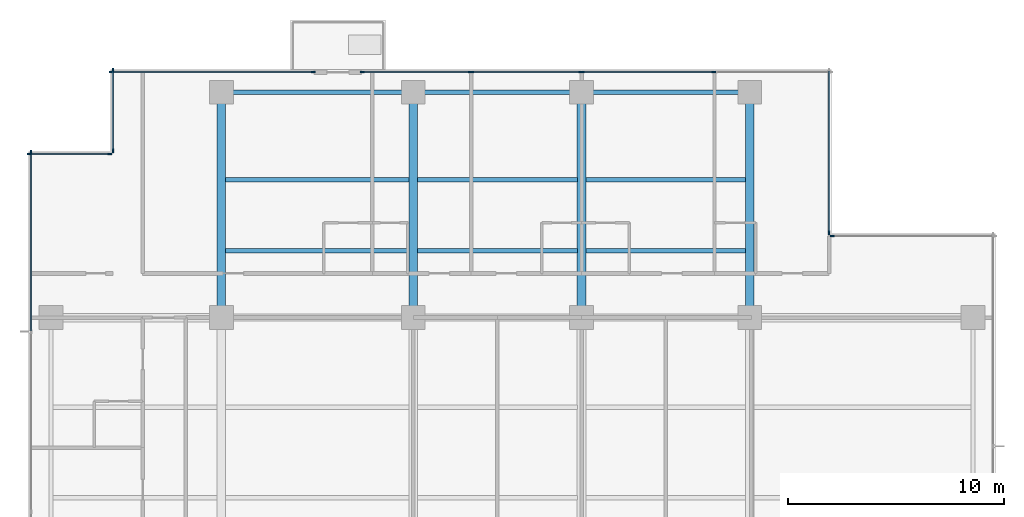
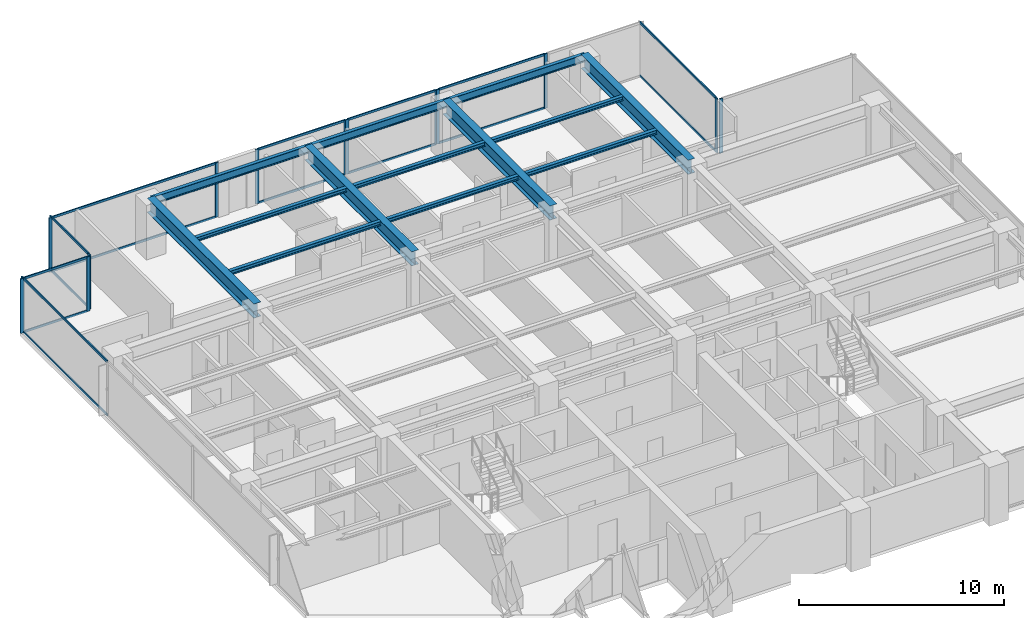
# One storey, part 4 of 14: 31 members, 13 beams, 9 elements without a shape of their own.
"""IFC4 building model written with IfcOpenShell, lengths in metres."""

from ifc_helpers import new_model, si_unit, direction, frame, origin, origin_2d, place, context, subcontext, project, spatial, rectangle, i_section, extrude, material, layer, layer_set, material_profile, profile_set, type_object, element, aggregate, save


model = new_model("IFC4")

# Units and contexts
model_context = context("Model", 3, precision=1e-05, world=origin(), true_north=direction((0.0, 1.0)))
body_context = subcontext(model_context, "Body", "Model", "MODEL_VIEW")
ifc_project = project(units=[si_unit("LENGTHUNIT", "METRE"), si_unit("AREAUNIT", "SQUARE_METRE"), si_unit("VOLUMEUNIT", "CUBIC_METRE"), si_unit("PLANEANGLEUNIT", "RADIAN"), si_unit("MASSUNIT", "GRAM", prefix="KILO")], contexts=[model_context])

# Site, building, storey
site_placement = place(None, origin())
site = spatial("IfcSite", under=ifc_project, at=site_placement, CompositionType="ELEMENT")
building_placement = place(site_placement, origin())
building = spatial("IfcBuilding", under=site, at=building_placement, Name="Qalmaran Belvedere Hotel", CompositionType="ELEMENT")
storey_placement = place(building_placement, frame((0.0, 0.0, 152.60009765625)))
storey = spatial("IfcBuildingStorey", under=building, at=storey_placement, Name="L38", CompositionType="ELEMENT", Elevation=152.60009765625)

# Beams
ifc_material_1 = material(Name="Steel S355JR", Category="steel")
ifc_material_profile_1 = material_profile(ifc_material_1, i_section(OverallWidth=0.201904296875, OverallDepth=0.2470703125, WebThickness=0.00732421875, FlangeThickness=0.010986328125, FilletRadius=0.011962890625, at=origin_2d()), Name="W250X49")
ifc_profile_set_1 = profile_set([ifc_material_profile_1], Name="Steel S355JR")
beam_type_1 = type_object("IfcBeamType", Name="BM-JST-W250X49", PredefinedType="JOIST", material=ifc_profile_set_1)
beam_1_placement = place(storey_placement, frame((20.498046875, 36.10009765625, 3.12646484375), z_axis=(1.0, 0.0, 0.0), x_axis=(0.0, 1.0, 0.0)))
element("IfcBeam", 1, at=beam_1_placement, inside=storey, type_object=beam_type_1, Name="L38 North Floor Joist 042", PredefinedType="JOIST", context=body_context, shape_type="SweptSolid", body=[
    extrude(i_section(OverallWidth=0.201904296875, OverallDepth=0.2470703125, WebThickness=0.00732421875, FlangeThickness=0.010986328125, FilletRadius=0.011962890625, at=origin_2d()), origin(), (0.0, 0.0, 1.0), 8.50390625),
])
for number, where, z_axis, x_axis, name in (
    (2, (29.39794921875, 36.10009765625, 3.12646484375), (1.0, 0.0, 0.0), (0.0, 1.0, 0.0), "L38 North Floor Joist 043"),
    (3, (37.197998046875, 36.10009765625, 3.12646484375), (1.0, 0.0, 0.0), (0.0, 1.0, 0.0), "L38 North Floor Joist 044"),
):
    element("IfcBeam", number, at=place(storey_placement, frame(where, z_axis=z_axis, x_axis=x_axis)), inside=storey, type_object=beam_type_1, Name=name, PredefinedType="JOIST", context=body_context, shape_type="SweptSolid", body=[
        extrude(i_section(OverallWidth=0.201904296875, OverallDepth=0.2470703125, WebThickness=0.00732421875, FlangeThickness=0.010986328125, FilletRadius=0.011962890625, at=origin_2d()), origin(), (0.0, 0.0, 1.0), 7.404052734375),
    ])
beam_2_placement = place(storey_placement, frame((20.498046875, 39.39990234375, 3.12646484375), z_axis=(1.0, 0.0, 0.0), x_axis=(0.0, 1.0, 0.0)))
element("IfcBeam", 4, at=beam_2_placement, inside=storey, type_object=beam_type_1, Name="L38 North Floor Joist 045", PredefinedType="JOIST", context=body_context, shape_type="SweptSolid", body=[
    extrude(i_section(OverallWidth=0.201904296875, OverallDepth=0.2470703125, WebThickness=0.00732421875, FlangeThickness=0.010986328125, FilletRadius=0.011962890625, at=origin_2d()), origin(), (0.0, 0.0, 1.0), 8.50390625),
])
for number, where, z_axis, x_axis, name in (
    (5, (29.39794921875, 39.39990234375, 3.12646484375), (1.0, 0.0, 0.0), (0.0, 1.0, 0.0), "L38 North Floor Joist 046"),
    (6, (37.197998046875, 39.39990234375, 3.12646484375), (1.0, 0.0, 0.0), (0.0, 1.0, 0.0), "L38 North Floor Joist 047"),
):
    element("IfcBeam", number, at=place(storey_placement, frame(where, z_axis=z_axis, x_axis=x_axis)), inside=storey, type_object=beam_type_1, Name=name, PredefinedType="JOIST", context=body_context, shape_type="SweptSolid", body=[
        extrude(i_section(OverallWidth=0.201904296875, OverallDepth=0.2470703125, WebThickness=0.00732421875, FlangeThickness=0.010986328125, FilletRadius=0.011962890625, at=origin_2d()), origin(), (0.0, 0.0, 1.0), 7.404052734375),
    ])
ifc_material_profile_2 = material_profile(ifc_material_1, i_section(OverallWidth=0.39990234375, OverallDepth=0.85498046875, WebThickness=0.018310546875, FlangeThickness=0.029296875, FilletRadius=0.02392578125, at=origin_2d()), Name="W840X299")
ifc_profile_set_2 = profile_set([ifc_material_profile_2], Name="Steel S355JR")
beam_type_2 = type_object("IfcBeamType", Name="BM-PG3-W840X299", PredefinedType="USERDEFINED", material=ifc_profile_set_2)
for number, where, z_axis, x_axis, name in (
    (7, (20.300048828125, 33.0, 2.822509765625), (0.0, 1.0, 0.0), (-1.0, 0.0, 0.0), "L38 North Bay Girder 15"),
    (8, (29.199951171875, 33.0, 2.822509765625), (0.0, 1.0, 0.0), (-1.0, 0.0, 0.0), "L38 North Bay Girder 17"),
    (9, (37.0, 33.0, 2.822509765625), (0.0, 1.0, 0.0), (-1.0, 0.0, 0.0), "L38 North Bay Girder 19"),
    (10, (44.800048828125, 33.0, 2.822509765625), (0.0, 1.0, 0.0), (-1.0, 0.0, 0.0), "L38 North Bay Girder 21"),
):
    element("IfcBeam", number, at=place(storey_placement, frame(where, z_axis=z_axis, x_axis=x_axis)), inside=storey, type_object=beam_type_2, Name=name, ObjectType="GIRDER", PredefinedType="USERDEFINED", context=body_context, shape_type="SweptSolid", body=[
        extrude(i_section(OverallWidth=0.39990234375, OverallDepth=0.85498046875, WebThickness=0.018310546875, FlangeThickness=0.029296875, FilletRadius=0.02392578125, at=origin_2d()), origin(), (0.0, 0.0, 1.0), 10.449951171875),
    ])
ifc_material_profile_3 = material_profile(ifc_material_1, i_section(OverallWidth=0.19189453125, OverallDepth=0.462890625, WebThickness=0.010498046875, FlangeThickness=0.017578125, FilletRadius=0.01611328125, at=origin_2d()), Name="W460X89")
ifc_profile_set_3 = profile_set([ifc_material_profile_3], Name="Steel S355JR")
beam_type_3 = type_object("IfcBeamType", Name="BM-SP2-W460X89", PredefinedType="SPANDREL", material=ifc_profile_set_3)
beam_3_placement = place(storey_placement, frame((20.300048828125, 43.449951171875, 3.018310546875), z_axis=(1.0, 0.0, 0.0), x_axis=(0.0, 1.0, 0.0)))
element("IfcBeam", 11, at=beam_3_placement, inside=storey, type_object=beam_type_3, Name="L38 Perimeter Spandrel 05", PredefinedType="SPANDREL", context=body_context, shape_type="SweptSolid", body=[
    extrude(i_section(OverallWidth=0.19189453125, OverallDepth=0.462890625, WebThickness=0.010498046875, FlangeThickness=0.017578125, FilletRadius=0.01611328125, at=origin_2d()), origin(), (0.0, 0.0, 1.0), 8.89990234375),
])
for number, where, z_axis, x_axis, name in (
    (12, (29.199951171875, 43.449951171875, 3.018310546875), (1.0, 0.0, 0.0), (0.0, 1.0, 0.0), "L38 Perimeter Spandrel 06"),
    (13, (37.0, 43.449951171875, 3.018310546875), (1.0, 0.0, 0.0), (0.0, 1.0, 0.0), "L38 Perimeter Spandrel 07"),
):
    element("IfcBeam", number, at=place(storey_placement, frame(where, z_axis=z_axis, x_axis=x_axis)), inside=storey, type_object=beam_type_3, Name=name, PredefinedType="SPANDREL", context=body_context, shape_type="SweptSolid", body=[
        extrude(i_section(OverallWidth=0.19189453125, OverallDepth=0.462890625, WebThickness=0.010498046875, FlangeThickness=0.017578125, FilletRadius=0.01611328125, at=origin_2d()), origin(), (0.0, 0.0, 1.0), 7.800048828125),
    ])

# Curtain wall, member
ifc_material_2 = material(Name="Anodised Bronze Aluminium", Category="aluminium")
ifc_layer = layer(ifc_material_2, 0.195068359375, Name="Anodised Bronze Aluminium")
ifc_layer_set = layer_set([ifc_layer], Name="Anodised Bronze Aluminium")
curtain_wall_type = type_object("IfcCurtainWallType", Name="CW4-TOWER-HIGHMID", PredefinedType="NOTDEFINED", material=ifc_layer_set)
curtain_wall_1_placement = place(storey_placement, origin())
curtain_wall_1 = element("IfcCurtainWall", 14, at=curtain_wall_1_placement, inside=storey, type_object=curtain_wall_type, Name="L38 Curtain Wall CW4", PredefinedType="NOTDEFINED")
ifc_material_profile_4 = material_profile(ifc_material_2, rectangle(XDim=0.070068359375, YDim=0.18994140625, at=origin_2d()), Name="CWM70X190")
ifc_profile_set_4 = profile_set([ifc_material_profile_4], Name="Anodised Bronze Aluminium")
member_type_1 = type_object("IfcMemberType", Name="CWM-70X190", PredefinedType="MULLION", material=ifc_profile_set_4)
member_1_placement = place(storey_placement, frame((48.635009765625, 36.780029296875, 0.0), z_axis=(0.0, 0.0, 1.0), x_axis=(0.0, -1.0, 0.0)))
member_1 = element("IfcMember", 15, at=member_1_placement, type_object=member_type_1, Name="CW4 mullion 2", PredefinedType="MULLION", context=body_context, shape_type="SweptSolid", body=[
    extrude(rectangle(XDim=0.070068359375, YDim=0.18994140625, at=origin_2d()), origin(), (0.0, 0.0, 1.0), 3.25),
])
aggregate(curtain_wall_1, [member_1])

curtain_wall_2_placement = place(storey_placement, origin())
curtain_wall_2 = element("IfcCurtainWall", 16, at=curtain_wall_2_placement, inside=storey, type_object=curtain_wall_type, Name="L38 Curtain Wall CW4", PredefinedType="NOTDEFINED")
member_2_placement = place(storey_placement, frame((48.47998046875, 36.93505859375, 0.0), z_axis=(0.0, 0.0, 1.0), x_axis=(-1.0, 0.0, 0.0)))
member_2 = element("IfcMember", 17, at=member_2_placement, type_object=member_type_1, Name="CW4 mullion 1", PredefinedType="MULLION", context=body_context, shape_type="SweptSolid", body=[
    extrude(rectangle(XDim=0.070068359375, YDim=0.18994140625, at=origin_2d()), origin(), (0.0, 0.0, 1.0), 3.25),
])

# Curtain wall, members
curtain_wall_3_placement = place(storey_placement, origin())
curtain_wall_3 = element("IfcCurtainWall", 18, at=curtain_wall_3_placement, inside=storey, type_object=curtain_wall_type, Name="L38 Curtain Wall CW4", PredefinedType="NOTDEFINED")
member_3_placement = place(storey_placement, frame((24.56494140625, 44.3798828125, 0.0), z_axis=(0.0, 0.0, 1.0), x_axis=(0.0, -1.0, 0.0)))
member_3 = element("IfcMember", 19, at=member_3_placement, type_object=member_type_1, Name="CW4 mullion 1", PredefinedType="MULLION", context=body_context, shape_type="SweptSolid", body=[
    extrude(rectangle(XDim=0.070068359375, YDim=0.18994140625, at=origin_2d()), origin(), (0.0, 0.0, 1.0), 3.25),
])
member_4_placement = place(storey_placement, frame((15.18505859375, 44.3798828125, 0.0), z_axis=(0.0, 0.0, 1.0), x_axis=(0.0, -1.0, 0.0)))
member_4 = element("IfcMember", 20, at=member_4_placement, type_object=member_type_1, Name="CW4 mullion 2", PredefinedType="MULLION", context=body_context, shape_type="SweptSolid", body=[
    extrude(rectangle(XDim=0.070068359375, YDim=0.18994140625, at=origin_2d()), origin(), (0.0, 0.0, 1.0), 3.25),
])

curtain_wall_4_placement = place(storey_placement, origin())
curtain_wall_4 = element("IfcCurtainWall", 21, at=curtain_wall_4_placement, inside=storey, type_object=curtain_wall_type, Name="L38 Curtain Wall CW4", PredefinedType="NOTDEFINED")
member_5_placement = place(storey_placement, frame((43.13134765625, 44.3798828125, 0.0), z_axis=(0.0, 0.0, 1.0), x_axis=(0.0, -1.0, 0.0)))
member_5 = element("IfcMember", 22, at=member_5_placement, type_object=member_type_1, Name="CW4 mullion 1", PredefinedType="MULLION", context=body_context, shape_type="SweptSolid", body=[
    extrude(rectangle(XDim=0.070068359375, YDim=0.18994140625, at=origin_2d()), origin(), (0.0, 0.0, 1.0), 3.25),
])
member_6_placement = place(storey_placement, frame((37.034912109375, 44.3798828125, 0.0), z_axis=(0.0, 0.0, 1.0), x_axis=(0.0, -1.0, 0.0)))
member_6 = element("IfcMember", 23, at=member_6_placement, type_object=member_type_1, Name="CW4 mullion 2", PredefinedType="MULLION", context=body_context, shape_type="SweptSolid", body=[
    extrude(rectangle(XDim=0.070068359375, YDim=0.18994140625, at=origin_2d()), origin(), (0.0, 0.0, 1.0), 3.25),
])

curtain_wall_5_placement = place(storey_placement, origin())
curtain_wall_5 = element("IfcCurtainWall", 24, at=curtain_wall_5_placement, inside=storey, type_object=curtain_wall_type, Name="L38 Curtain Wall CW4", PredefinedType="NOTDEFINED")
member_7_placement = place(storey_placement, frame((36.965087890625, 44.3798828125, 0.0), z_axis=(0.0, 0.0, 1.0), x_axis=(0.0, -1.0, 0.0)))
member_7 = element("IfcMember", 25, at=member_7_placement, type_object=member_type_1, Name="CW4 mullion 1", PredefinedType="MULLION", context=body_context, shape_type="SweptSolid", body=[
    extrude(rectangle(XDim=0.070068359375, YDim=0.18994140625, at=origin_2d()), origin(), (0.0, 0.0, 1.0), 3.25),
])
member_8_placement = place(storey_placement, frame((31.909912109375, 44.3798828125, 0.0), z_axis=(0.0, 0.0, 1.0), x_axis=(0.0, -1.0, 0.0)))
member_8 = element("IfcMember", 26, at=member_8_placement, type_object=member_type_1, Name="CW4 mullion 2", PredefinedType="MULLION", context=body_context, shape_type="SweptSolid", body=[
    extrude(rectangle(XDim=0.070068359375, YDim=0.18994140625, at=origin_2d()), origin(), (0.0, 0.0, 1.0), 3.25),
])

curtain_wall_6_placement = place(storey_placement, origin())
curtain_wall_6 = element("IfcCurtainWall", 27, at=curtain_wall_6_placement, inside=storey, type_object=curtain_wall_type, Name="L38 Curtain Wall CW4", PredefinedType="NOTDEFINED")
member_9_placement = place(storey_placement, frame((31.840087890625, 44.3798828125, 0.0), z_axis=(0.0, 0.0, 1.0), x_axis=(0.0, -1.0, 0.0)))
member_9 = element("IfcMember", 28, at=member_9_placement, type_object=member_type_1, Name="CW4 mullion 1", PredefinedType="MULLION", context=body_context, shape_type="SweptSolid", body=[
    extrude(rectangle(XDim=0.070068359375, YDim=0.18994140625, at=origin_2d()), origin(), (0.0, 0.0, 1.0), 3.25),
])
member_10_placement = place(storey_placement, frame((26.8349609375, 44.3798828125, 0.0), z_axis=(0.0, 0.0, 1.0), x_axis=(0.0, -1.0, 0.0)))
member_10 = element("IfcMember", 29, at=member_10_placement, type_object=member_type_1, Name="CW4 mullion 2", PredefinedType="MULLION", context=body_context, shape_type="SweptSolid", body=[
    extrude(rectangle(XDim=0.070068359375, YDim=0.18994140625, at=origin_2d()), origin(), (0.0, 0.0, 1.0), 3.25),
])

curtain_wall_7_placement = place(storey_placement, origin())
curtain_wall_7 = element("IfcCurtainWall", 30, at=curtain_wall_7_placement, inside=storey, type_object=curtain_wall_type, Name="L38 Curtain Wall CW4", PredefinedType="NOTDEFINED")
member_11_placement = place(storey_placement, frame((15.27001953125, 44.465087890625, 0.0), z_axis=(0.0, 0.0, 1.0), x_axis=(1.0, 0.0, 0.0)))
member_11 = element("IfcMember", 31, at=member_11_placement, type_object=member_type_1, Name="CW4 mullion 1", PredefinedType="MULLION", context=body_context, shape_type="SweptSolid", body=[
    extrude(rectangle(XDim=0.070068359375, YDim=0.18994140625, at=origin_2d()), origin(), (0.0, 0.0, 1.0), 3.25),
])
member_12_placement = place(storey_placement, frame((15.27001953125, 40.735107421875, 0.0), z_axis=(0.0, 0.0, 1.0), x_axis=(1.0, 0.0, 0.0)))
member_12 = element("IfcMember", 32, at=member_12_placement, type_object=member_type_1, Name="CW4 mullion 2", PredefinedType="MULLION", context=body_context, shape_type="SweptSolid", body=[
    extrude(rectangle(XDim=0.070068359375, YDim=0.18994140625, at=origin_2d()), origin(), (0.0, 0.0, 1.0), 3.25),
])

curtain_wall_8_placement = place(storey_placement, origin())
curtain_wall_8 = element("IfcCurtainWall", 33, at=curtain_wall_8_placement, inside=storey, type_object=curtain_wall_type, Name="L38 Curtain Wall CW4", PredefinedType="NOTDEFINED")
member_13_placement = place(storey_placement, frame((15.114990234375, 40.580078125, 0.0), z_axis=(0.0, 0.0, 1.0), x_axis=(0.0, -1.0, 0.0)))
member_13 = element("IfcMember", 34, at=member_13_placement, type_object=member_type_1, Name="CW4 mullion 1", PredefinedType="MULLION", context=body_context, shape_type="SweptSolid", body=[
    extrude(rectangle(XDim=0.070068359375, YDim=0.18994140625, at=origin_2d()), origin(), (0.0, 0.0, 1.0), 3.25),
])
member_14_placement = place(storey_placement, frame((11.385009765625, 40.580078125, 0.0), z_axis=(0.0, 0.0, 1.0), x_axis=(0.0, -1.0, 0.0)))
member_14 = element("IfcMember", 35, at=member_14_placement, type_object=member_type_1, Name="CW4 mullion 2", PredefinedType="MULLION", context=body_context, shape_type="SweptSolid", body=[
    extrude(rectangle(XDim=0.070068359375, YDim=0.18994140625, at=origin_2d()), origin(), (0.0, 0.0, 1.0), 3.25),
])

# Curtain wall, member
curtain_wall_9_placement = place(storey_placement, origin())
curtain_wall_9 = element("IfcCurtainWall", 36, at=curtain_wall_9_placement, inside=storey, type_object=curtain_wall_type, Name="L38 Curtain Wall CW4", PredefinedType="NOTDEFINED")
member_15_placement = place(storey_placement, frame((11.469970703125, 40.6650390625, 0.0), z_axis=(0.0, 0.0, 1.0), x_axis=(1.0, 0.0, 0.0)))
member_15 = element("IfcMember", 37, at=member_15_placement, type_object=member_type_1, Name="CW4 mullion 1", PredefinedType="MULLION", context=body_context, shape_type="SweptSolid", body=[
    extrude(rectangle(XDim=0.070068359375, YDim=0.18994140625, at=origin_2d()), origin(), (0.0, 0.0, 1.0), 3.25),
])

# Member
ifc_material_profile_5 = material_profile(ifc_material_2, rectangle(XDim=0.06494140625, YDim=0.1298828125, at=origin_2d()), Name="CWT65X130")
ifc_profile_set_5 = profile_set([ifc_material_profile_5], Name="Anodised Bronze Aluminium")
member_type_2 = type_object("IfcMemberType", Name="CWT-65X130", PredefinedType="USERDEFINED", material=ifc_profile_set_5)
member_16_placement = place(storey_placement, frame((48.47998046875, 36.969970703125, 0.032470703125), z_axis=(0.0, 1.0, 0.0), x_axis=(-1.0, 0.0, 0.0)))
member_16 = element("IfcMember", 38, at=member_16_placement, type_object=member_type_2, Name="CW4 transom 1.1", ObjectType="TRANSOM", PredefinedType="USERDEFINED", context=body_context, shape_type="SweptSolid", body=[
    extrude(rectangle(XDim=0.06494140625, YDim=0.1298828125, at=origin_2d()), origin(), (0.0, 0.0, 1.0), 7.4599609375),
])

member_17_placement = place(storey_placement, frame((48.47998046875, 36.969970703125, 3.21728515625), z_axis=(0.0, 1.0, 0.0), x_axis=(-1.0, 0.0, 0.0)))
member_17 = element("IfcMember", 39, at=member_17_placement, type_object=member_type_2, Name="CW4 transom 1.2", ObjectType="TRANSOM", PredefinedType="USERDEFINED", context=body_context, shape_type="SweptSolid", body=[
    extrude(rectangle(XDim=0.06494140625, YDim=0.1298828125, at=origin_2d()), origin(), (0.0, 0.0, 1.0), 7.4599609375),
])

aggregate(curtain_wall_2, [member_2, member_16, member_17])

member_18_placement = place(storey_placement, frame((24.530029296875, 44.3798828125, 0.032470703125), z_axis=(-1.0, 0.0, 0.0), x_axis=(0.0, -1.0, 0.0)))
member_18 = element("IfcMember", 40, at=member_18_placement, type_object=member_type_2, Name="CW4 transom 1.1", ObjectType="TRANSOM", PredefinedType="USERDEFINED", context=body_context, shape_type="SweptSolid", body=[
    extrude(rectangle(XDim=0.06494140625, YDim=0.1298828125, at=origin_2d()), origin(), (0.0, 0.0, 1.0), 9.31005859375),
])

member_19_placement = place(storey_placement, frame((24.530029296875, 44.3798828125, 3.21728515625), z_axis=(-1.0, 0.0, 0.0), x_axis=(0.0, -1.0, 0.0)))
member_19 = element("IfcMember", 41, at=member_19_placement, type_object=member_type_2, Name="CW4 transom 1.2", ObjectType="TRANSOM", PredefinedType="USERDEFINED", context=body_context, shape_type="SweptSolid", body=[
    extrude(rectangle(XDim=0.06494140625, YDim=0.1298828125, at=origin_2d()), origin(), (0.0, 0.0, 1.0), 9.31005859375),
])

aggregate(curtain_wall_3, [member_3, member_4, member_18, member_19])

member_20_placement = place(storey_placement, frame((43.096435546875, 44.3798828125, 0.032470703125), z_axis=(-1.0, 0.0, 0.0), x_axis=(0.0, -1.0, 0.0)))
member_20 = element("IfcMember", 42, at=member_20_placement, type_object=member_type_2, Name="CW4 transom 1.1", ObjectType="TRANSOM", PredefinedType="USERDEFINED", context=body_context, shape_type="SweptSolid", body=[
    extrude(rectangle(XDim=0.06494140625, YDim=0.1298828125, at=origin_2d()), origin(), (0.0, 0.0, 1.0), 6.0263671875),
])

member_21_placement = place(storey_placement, frame((43.096435546875, 44.3798828125, 3.21728515625), z_axis=(-1.0, 0.0, 0.0), x_axis=(0.0, -1.0, 0.0)))
member_21 = element("IfcMember", 43, at=member_21_placement, type_object=member_type_2, Name="CW4 transom 1.2", ObjectType="TRANSOM", PredefinedType="USERDEFINED", context=body_context, shape_type="SweptSolid", body=[
    extrude(rectangle(XDim=0.06494140625, YDim=0.1298828125, at=origin_2d()), origin(), (0.0, 0.0, 1.0), 6.0263671875),
])

aggregate(curtain_wall_4, [member_5, member_6, member_20, member_21])

member_22_placement = place(storey_placement, frame((36.929931640625, 44.3798828125, 0.032470703125), z_axis=(-1.0, 0.0, 0.0), x_axis=(0.0, -1.0, 0.0)))
member_22 = element("IfcMember", 44, at=member_22_placement, type_object=member_type_2, Name="CW4 transom 1.1", ObjectType="TRANSOM", PredefinedType="USERDEFINED", context=body_context, shape_type="SweptSolid", body=[
    extrude(rectangle(XDim=0.06494140625, YDim=0.1298828125, at=origin_2d()), origin(), (0.0, 0.0, 1.0), 4.98486328125),
])

member_23_placement = place(storey_placement, frame((36.929931640625, 44.3798828125, 3.21728515625), z_axis=(-1.0, 0.0, 0.0), x_axis=(0.0, -1.0, 0.0)))
member_23 = element("IfcMember", 45, at=member_23_placement, type_object=member_type_2, Name="CW4 transom 1.2", ObjectType="TRANSOM", PredefinedType="USERDEFINED", context=body_context, shape_type="SweptSolid", body=[
    extrude(rectangle(XDim=0.06494140625, YDim=0.1298828125, at=origin_2d()), origin(), (0.0, 0.0, 1.0), 4.98486328125),
])

aggregate(curtain_wall_5, [member_7, member_8, member_22, member_23])

member_24_placement = place(storey_placement, frame((31.804931640625, 44.3798828125, 0.032470703125), z_axis=(-1.0, 0.0, 0.0), x_axis=(0.0, -1.0, 0.0)))
member_24 = element("IfcMember", 46, at=member_24_placement, type_object=member_type_2, Name="CW4 transom 1.1", ObjectType="TRANSOM", PredefinedType="USERDEFINED", context=body_context, shape_type="SweptSolid", body=[
    extrude(rectangle(XDim=0.06494140625, YDim=0.1298828125, at=origin_2d()), origin(), (0.0, 0.0, 1.0), 4.934814453125),
])

member_25_placement = place(storey_placement, frame((31.804931640625, 44.3798828125, 3.21728515625), z_axis=(-1.0, 0.0, 0.0), x_axis=(0.0, -1.0, 0.0)))
member_25 = element("IfcMember", 47, at=member_25_placement, type_object=member_type_2, Name="CW4 transom 1.2", ObjectType="TRANSOM", PredefinedType="USERDEFINED", context=body_context, shape_type="SweptSolid", body=[
    extrude(rectangle(XDim=0.06494140625, YDim=0.1298828125, at=origin_2d()), origin(), (0.0, 0.0, 1.0), 4.934814453125),
])

aggregate(curtain_wall_6, [member_9, member_10, member_24, member_25])

member_26_placement = place(storey_placement, frame((15.27001953125, 44.429931640625, 0.032470703125), z_axis=(0.0, -1.0, 0.0), x_axis=(1.0, 0.0, 0.0)))
member_26 = element("IfcMember", 48, at=member_26_placement, type_object=member_type_2, Name="CW4 transom 1.1", ObjectType="TRANSOM", PredefinedType="USERDEFINED", context=body_context, shape_type="SweptSolid", body=[
    extrude(rectangle(XDim=0.06494140625, YDim=0.1298828125, at=origin_2d()), origin(), (0.0, 0.0, 1.0), 3.659912109375),
])

member_27_placement = place(storey_placement, frame((15.27001953125, 44.429931640625, 3.21728515625), z_axis=(0.0, -1.0, 0.0), x_axis=(1.0, 0.0, 0.0)))
member_27 = element("IfcMember", 49, at=member_27_placement, type_object=member_type_2, Name="CW4 transom 1.2", ObjectType="TRANSOM", PredefinedType="USERDEFINED", context=body_context, shape_type="SweptSolid", body=[
    extrude(rectangle(XDim=0.06494140625, YDim=0.1298828125, at=origin_2d()), origin(), (0.0, 0.0, 1.0), 3.659912109375),
])

aggregate(curtain_wall_7, [member_11, member_12, member_26, member_27])

member_28_placement = place(storey_placement, frame((15.080078125, 40.580078125, 0.032470703125), z_axis=(-1.0, 0.0, 0.0), x_axis=(0.0, -1.0, 0.0)))
member_28 = element("IfcMember", 50, at=member_28_placement, type_object=member_type_2, Name="CW4 transom 1.1", ObjectType="TRANSOM", PredefinedType="USERDEFINED", context=body_context, shape_type="SweptSolid", body=[
    extrude(rectangle(XDim=0.06494140625, YDim=0.1298828125, at=origin_2d()), origin(), (0.0, 0.0, 1.0), 3.66015625),
])

member_29_placement = place(storey_placement, frame((15.080078125, 40.580078125, 3.21728515625), z_axis=(-1.0, 0.0, 0.0), x_axis=(0.0, -1.0, 0.0)))
member_29 = element("IfcMember", 51, at=member_29_placement, type_object=member_type_2, Name="CW4 transom 1.2", ObjectType="TRANSOM", PredefinedType="USERDEFINED", context=body_context, shape_type="SweptSolid", body=[
    extrude(rectangle(XDim=0.06494140625, YDim=0.1298828125, at=origin_2d()), origin(), (0.0, 0.0, 1.0), 3.66015625),
])

aggregate(curtain_wall_8, [member_13, member_14, member_28, member_29])

member_30_placement = place(storey_placement, frame((11.469970703125, 40.6298828125, 0.032470703125), z_axis=(0.0, -1.0, 0.0), x_axis=(1.0, 0.0, 0.0)))
member_30 = element("IfcMember", 52, at=member_30_placement, type_object=member_type_2, Name="CW4 transom 1.1", ObjectType="TRANSOM", PredefinedType="USERDEFINED", context=body_context, shape_type="SweptSolid", body=[
    extrude(rectangle(XDim=0.06494140625, YDim=0.1298828125, at=origin_2d()), origin(), (0.0, 0.0, 1.0), 8.244873046875),
])

member_31_placement = place(storey_placement, frame((11.469970703125, 40.6298828125, 3.21728515625), z_axis=(0.0, -1.0, 0.0), x_axis=(1.0, 0.0, 0.0)))
member_31 = element("IfcMember", 53, at=member_31_placement, type_object=member_type_2, Name="CW4 transom 1.2", ObjectType="TRANSOM", PredefinedType="USERDEFINED", context=body_context, shape_type="SweptSolid", body=[
    extrude(rectangle(XDim=0.06494140625, YDim=0.1298828125, at=origin_2d()), origin(), (0.0, 0.0, 1.0), 8.244873046875),
])

aggregate(curtain_wall_9, [member_15, member_30, member_31])

save(model, "model.ifc")
